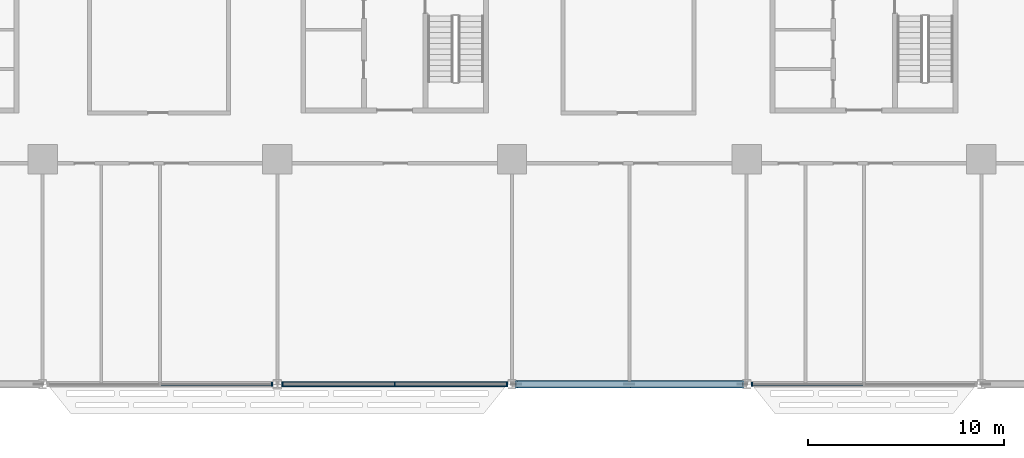
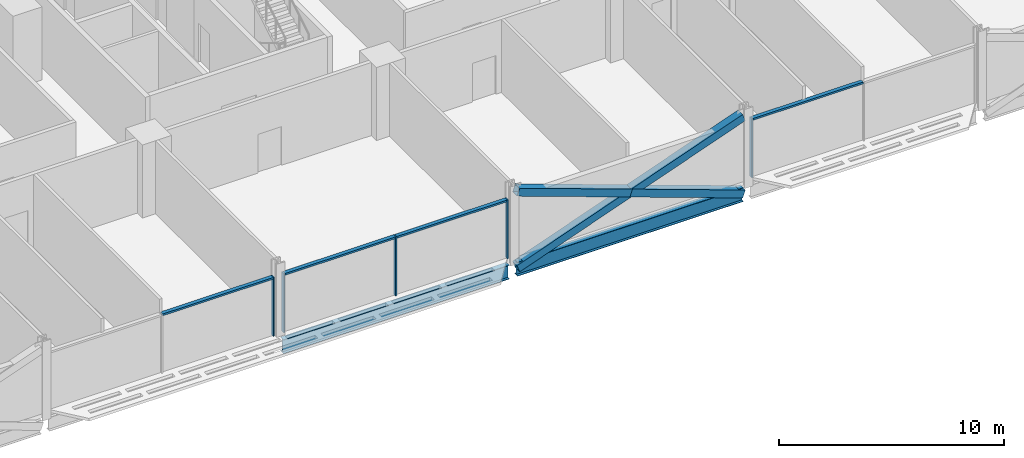
# One storey, part 5 of 29: 12 members, 2 beams, 3 elements without a shape of their own.
"""IFC4 building model written with IfcOpenShell, lengths in metres."""

from ifc_helpers import new_model, si_unit, direction, frame, origin, origin_2d, place, context, subcontext, project, spatial, rectangle, hollow_rectangle, i_section, extrude, material, material_profile, profile_set, type_object, element, aggregate, save


model = new_model("IFC4")

# Units and contexts
model_context = context("Model", 3, precision=1e-05, world=origin(), true_north=direction((0.0, 1.0)))
body_context = subcontext(model_context, "Body", "Model", "MODEL_VIEW")
ifc_project = project(units=[si_unit("LENGTHUNIT", "METRE"), si_unit("AREAUNIT", "SQUARE_METRE"), si_unit("VOLUMEUNIT", "CUBIC_METRE"), si_unit("PLANEANGLEUNIT", "RADIAN"), si_unit("MASSUNIT", "GRAM", prefix="KILO")], contexts=[model_context])

# Site, building, storey
site_placement = place(None, origin())
site = spatial("IfcSite", under=ifc_project, at=site_placement, CompositionType="ELEMENT")
building_placement = place(site_placement, origin())
building = spatial("IfcBuilding", under=site, at=building_placement, Name="Mahtab Terrace Research Tower", CompositionType="ELEMENT")
storey_placement = place(building_placement, frame((0.0, 0.0, 54.60009765625)))
storey = spatial("IfcBuildingStorey", under=building, at=storey_placement, Name="L12", CompositionType="ELEMENT", Elevation=54.60009765625)

# Members
ifc_material_1 = material(Name="Steel ASTM A500 Gr C", Category="steel")
ifc_material_profile_1 = material_profile(ifc_material_1, hollow_rectangle(XDim=0.406494140625, YDim=0.406494140625, WallThickness=0.01904296875, at=origin_2d()), Name="HSS16X16X3/4")
ifc_profile_set_1 = profile_set([ifc_material_profile_1], Name="Steel ASTM A500 Gr C")
member_type_1 = type_object("IfcMemberType", Name="HSS 16x16x3/4 brace XB161634", PredefinedType="BRACE", material=ifc_profile_set_1)
member_1_placement = place(storey_placement, frame((6.212158203125, -23.0, -0.642578125), z_axis=(0.941386519928, 0.0, 0.337329838731), x_axis=(0.0, 1.0, 0.0)))
element("IfcMember", 1, at=member_1_placement, inside=storey, type_object=member_type_1, Name="Exoskeleton brace L12 17 a", PredefinedType="BRACE", context=body_context, shape_type="SweptSolid", body=[
    extrude(hollow_rectangle(XDim=0.406494140625, YDim=0.406494140625, WallThickness=0.01904296875, at=origin_2d()), origin(), (0.0, 0.0, 1.0), 12.29638671875),
])
for number, where, z_axis, x_axis, name in (
    (2, (17.787841796875, -23.0, -0.642578125), (-0.941386519928, 0.0, 0.337329838731), (0.0, -1.0, 0.0), "Exoskeleton brace L12 17 b1"),
    (3, (12.0, -23.0, 1.431396484375), (-0.941386519928, 0.0, 0.337329838731), (0.0, -1.0, 0.0), "Exoskeleton brace L12 17 b2"),
):
    element("IfcMember", number, at=place(storey_placement, frame(where, z_axis=z_axis, x_axis=x_axis)), inside=storey, type_object=member_type_1, Name=name, PredefinedType="BRACE", context=body_context, shape_type="SweptSolid", body=[
        extrude(hollow_rectangle(XDim=0.406494140625, YDim=0.406494140625, WallThickness=0.01904296875, at=origin_2d()), origin(), (0.0, 0.0, 1.0), 6.148193359375),
    ])

# Curtain wall, member
ifc_material_2 = material(Name="Laboratory ribbon curtain wall")
curtain_wall_type = type_object("IfcCurtainWallType", Name="Laboratory ribbon curtain wall", PredefinedType="NOTDEFINED", material=ifc_material_2)
curtain_wall_1_placement = place(storey_placement, origin())
curtain_wall_1 = element("IfcCurtainWall", 4, at=curtain_wall_1_placement, inside=storey, type_object=curtain_wall_type, Name="EN.L12.13.25", PredefinedType="NOTDEFINED")
ifc_material_3 = material(Name="Natural anodised aluminium", Category="aluminium")
ifc_material_profile_2 = material_profile(ifc_material_3, rectangle(XDim=0.199951171875, YDim=0.06494140625, at=origin_2d()), Name="MULLION 65x200")
ifc_profile_set_2 = profile_set([ifc_material_profile_2], Name="Natural anodised aluminium")
member_type_2 = type_object("IfcMemberType", Name="Laboratory ribbon curtain wall mullion", PredefinedType="MULLION", material=ifc_profile_set_2)
member_2_placement = place(storey_placement, frame((-6.2705078125, -23.0, 0.0), z_axis=(0.0, 0.0, 1.0), x_axis=(0.0, 1.0, 0.0)))
member_2 = element("IfcMember", 5, at=member_2_placement, type_object=member_type_2, Name="CWL-2 mullion 3", PredefinedType="MULLION", context=body_context, shape_type="SweptSolid", body=[
    extrude(rectangle(XDim=0.199951171875, YDim=0.06494140625, at=origin_2d()), origin(), (0.0, 0.0, 1.0), 3.202880859375),
])

# Curtain wall, members
curtain_wall_2_placement = place(storey_placement, origin())
curtain_wall_2 = element("IfcCurtainWall", 6, at=curtain_wall_2_placement, inside=storey, type_object=curtain_wall_type, Name="EN.L12.13.26", PredefinedType="NOTDEFINED")
member_3_placement = place(storey_placement, frame((-5.7294921875, -23.0, 0.0), z_axis=(0.0, 0.0, 1.0), x_axis=(0.0, 1.0, 0.0)))
member_3 = element("IfcMember", 7, at=member_3_placement, type_object=member_type_2, Name="CWL-2 mullion 1", PredefinedType="MULLION", context=body_context, shape_type="SweptSolid", body=[
    extrude(rectangle(XDim=0.199951171875, YDim=0.06494140625, at=origin_2d()), origin(), (0.0, 0.0, 1.0), 3.202880859375),
])
member_4_placement = place(storey_placement, frame((0.0, -23.0, 0.0), z_axis=(0.0, 0.0, 1.0), x_axis=(0.0, 1.0, 0.0)))
member_4 = element("IfcMember", 8, at=member_4_placement, type_object=member_type_2, Name="CWL-2 mullion 2", PredefinedType="MULLION", context=body_context, shape_type="SweptSolid", body=[
    extrude(rectangle(XDim=0.199951171875, YDim=0.06494140625, at=origin_2d()), origin(), (0.0, 0.0, 1.0), 3.202880859375),
])
member_5_placement = place(storey_placement, frame((5.7294921875, -23.0, 0.0), z_axis=(0.0, 0.0, 1.0), x_axis=(0.0, 1.0, 0.0)))
member_5 = element("IfcMember", 9, at=member_5_placement, type_object=member_type_2, Name="CWL-2 mullion 3", PredefinedType="MULLION", context=body_context, shape_type="SweptSolid", body=[
    extrude(rectangle(XDim=0.199951171875, YDim=0.06494140625, at=origin_2d()), origin(), (0.0, 0.0, 1.0), 3.202880859375),
])

# Curtain wall, member
curtain_wall_3_placement = place(storey_placement, origin())
curtain_wall_3 = element("IfcCurtainWall", 10, at=curtain_wall_3_placement, inside=storey, type_object=curtain_wall_type, Name="EN.L12.13.28", PredefinedType="NOTDEFINED")
member_6_placement = place(storey_placement, frame((18.2705078125, -23.0, 0.0), z_axis=(0.0, 0.0, 1.0), x_axis=(0.0, 1.0, 0.0)))
member_6 = element("IfcMember", 11, at=member_6_placement, type_object=member_type_2, Name="CWL-2 mullion 1", PredefinedType="MULLION", context=body_context, shape_type="SweptSolid", body=[
    extrude(rectangle(XDim=0.199951171875, YDim=0.06494140625, at=origin_2d()), origin(), (0.0, 0.0, 1.0), 3.202880859375),
])

# Member
ifc_material_profile_3 = material_profile(ifc_material_3, rectangle(XDim=0.199951171875, YDim=0.10009765625, at=origin_2d()), Name="TRANSOM 100x200")
ifc_profile_set_3 = profile_set([ifc_material_profile_3], Name="Natural anodised aluminium")
member_type_3 = type_object("IfcMemberType", Name="Laboratory ribbon curtain wall transom", PredefinedType="USERDEFINED", material=ifc_profile_set_3)
member_7_placement = place(storey_placement, frame((-11.967529296875, -23.0, 3.153076171875), z_axis=(1.0, 0.0, 0.0), x_axis=(0.0, 1.0, 0.0)))
member_7 = element("IfcMember", 12, at=member_7_placement, type_object=member_type_3, Name="CWL-2 transom 2", ObjectType="TRANSOM", PredefinedType="USERDEFINED", context=body_context, shape_type="SweptSolid", body=[
    extrude(rectangle(XDim=0.199951171875, YDim=0.10009765625, at=origin_2d()), origin(), (0.0, 0.0, 1.0), 5.66455078125),
])

aggregate(curtain_wall_1, [member_2, member_7])

member_8_placement = place(storey_placement, frame((-5.697021484375, -23.0, 3.153076171875), z_axis=(1.0, 0.0, 0.0), x_axis=(0.0, 1.0, 0.0)))
member_8 = element("IfcMember", 13, at=member_8_placement, type_object=member_type_3, Name="CWL-2 transom 1", ObjectType="TRANSOM", PredefinedType="USERDEFINED", context=body_context, shape_type="SweptSolid", body=[
    extrude(rectangle(XDim=0.199951171875, YDim=0.10009765625, at=origin_2d()), origin(), (0.0, 0.0, 1.0), 5.66455078125),
])

member_9_placement = place(storey_placement, frame((0.032470703125, -23.0, 3.153076171875), z_axis=(1.0, 0.0, 0.0), x_axis=(0.0, 1.0, 0.0)))
member_9 = element("IfcMember", 14, at=member_9_placement, type_object=member_type_3, Name="CWL-2 transom 2", ObjectType="TRANSOM", PredefinedType="USERDEFINED", context=body_context, shape_type="SweptSolid", body=[
    extrude(rectangle(XDim=0.199951171875, YDim=0.10009765625, at=origin_2d()), origin(), (0.0, 0.0, 1.0), 5.66455078125),
])

aggregate(curtain_wall_2, [member_3, member_4, member_5, member_8, member_9])

member_10_placement = place(storey_placement, frame((18.302978515625, -23.0, 3.153076171875), z_axis=(1.0, 0.0, 0.0), x_axis=(0.0, 1.0, 0.0)))
member_10 = element("IfcMember", 15, at=member_10_placement, type_object=member_type_3, Name="CWL-2 transom 1", ObjectType="TRANSOM", PredefinedType="USERDEFINED", context=body_context, shape_type="SweptSolid", body=[
    extrude(rectangle(XDim=0.199951171875, YDim=0.10009765625, at=origin_2d()), origin(), (0.0, 0.0, 1.0), 5.66455078125),
])

aggregate(curtain_wall_3, [member_6, member_10])

# Beams
ifc_material_4 = material(Name="Steel ASTM A992 Gr 50", Category="steel")
ifc_material_profile_4 = material_profile(ifc_material_4, i_section(OverallWidth=0.2666015625, OverallDepth=0.7568359375, WebThickness=0.013916015625, FlangeThickness=0.019287109375, at=origin_2d()), Name="W30X108")
ifc_profile_set_4 = profile_set([ifc_material_profile_4], Name="Steel ASTM A992 Gr 50")
beam_type = type_object("IfcBeamType", Name="W30x108 beam BS30108", PredefinedType="BEAM", material=ifc_profile_set_4)
for number, where, z_axis, x_axis, name in (
    (16, (-5.787841796875, -23.0, -0.718505859375), (1.0, 0.0, 0.0), (0.0, 1.0, 0.0), "Spandrel beam L12 16"),
    (17, (6.212158203125, -23.0, -0.718505859375), (1.0, 0.0, 0.0), (0.0, 1.0, 0.0), "Spandrel beam L12 17"),
):
    element("IfcBeam", number, at=place(storey_placement, frame(where, z_axis=z_axis, x_axis=x_axis)), inside=storey, type_object=beam_type, Name=name, PredefinedType="BEAM", context=body_context, shape_type="SweptSolid", body=[
        extrude(i_section(OverallWidth=0.2666015625, OverallDepth=0.7568359375, WebThickness=0.013916015625, FlangeThickness=0.019287109375, at=origin_2d()), origin(), (0.0, 0.0, 1.0), 11.57568359375),
    ])

save(model, "model.ifc")
